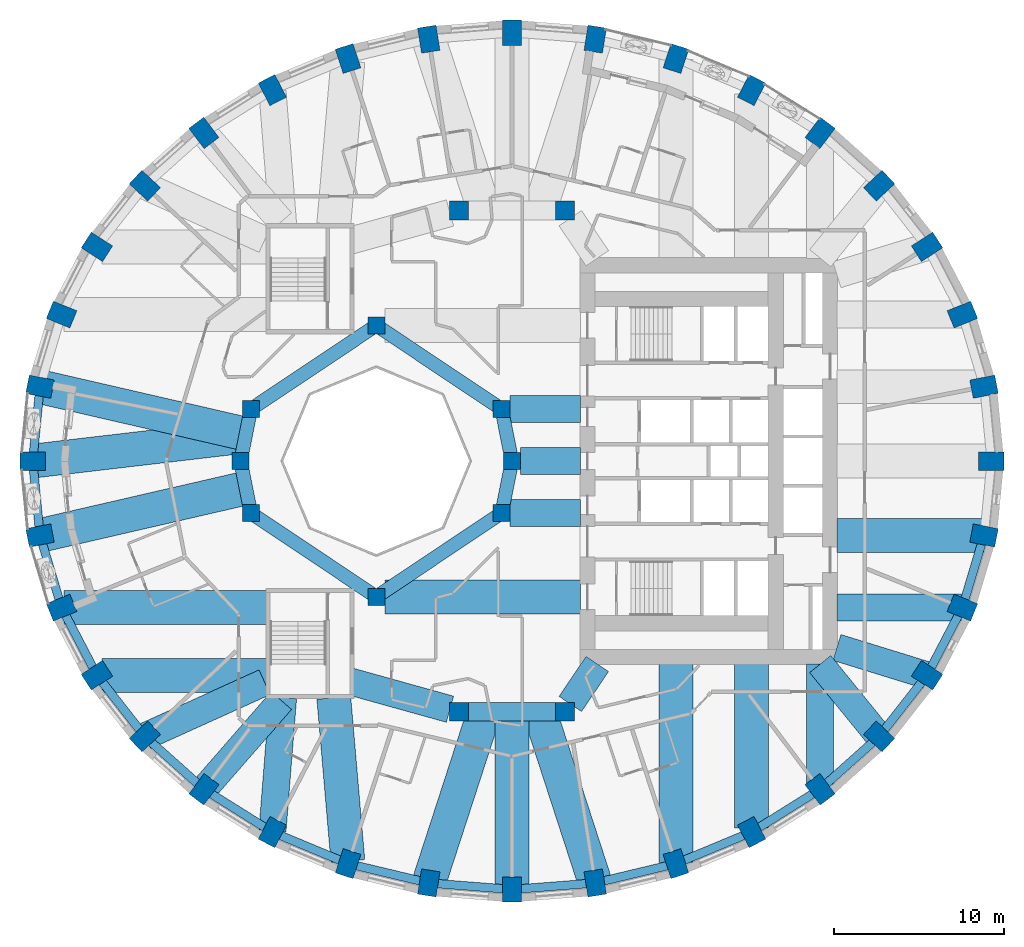
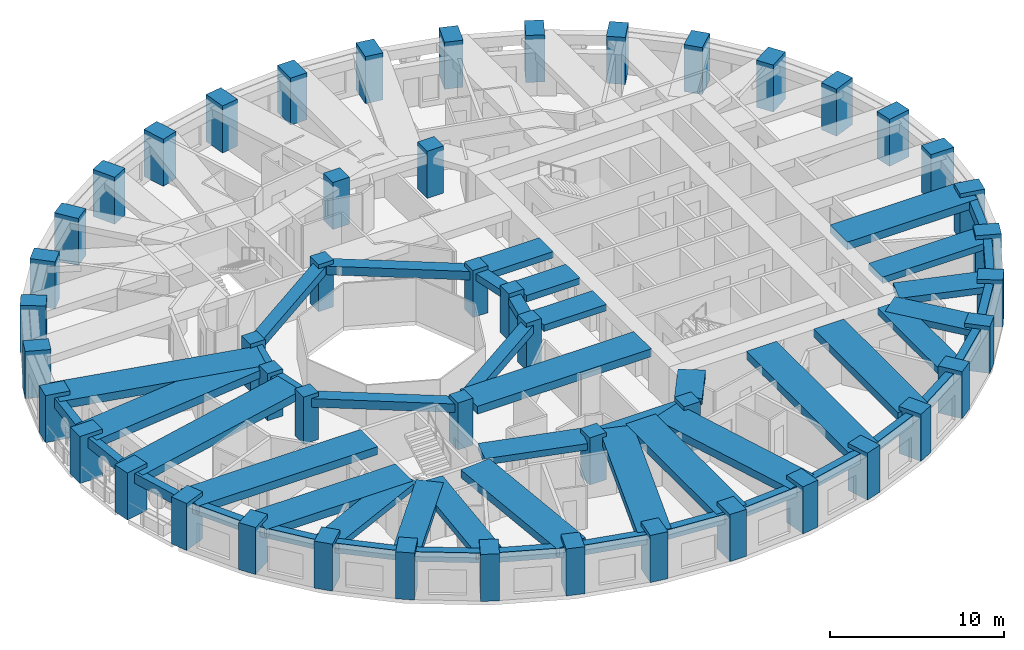
# One storey, part 1 of 14: 52 beams, 48 columns.
"""IFC4 building model written with IfcOpenShell, lengths in metres."""

from ifc_helpers import new_model, si_unit, direction, frame, origin, origin_2d, place, context, subcontext, project, spatial, rectangle, extrude, material, material_profile, profile_set, type_object, element, save


model = new_model("IFC4")

# Units and contexts
model_context = context("Model", 3, precision=1e-05, world=origin(), true_north=direction((0.0, 1.0)))
body_context = subcontext(model_context, "Body", "Model", "MODEL_VIEW")
ifc_project = project(units=[si_unit("LENGTHUNIT", "METRE"), si_unit("AREAUNIT", "SQUARE_METRE"), si_unit("VOLUMEUNIT", "CUBIC_METRE"), si_unit("PLANEANGLEUNIT", "RADIAN"), si_unit("MASSUNIT", "GRAM", prefix="KILO")], contexts=[model_context])

# Site, building, storey
site_placement = place(None, origin())
site = spatial("IfcSite", under=ifc_project, at=site_placement, CompositionType="ELEMENT")
building_placement = place(site_placement, origin())
building = spatial("IfcBuilding", under=site, at=building_placement, Name="Taillehof Tower", CompositionType="ELEMENT")
storey_placement = place(building_placement, frame((0.0, 0.0, 25.0)))
storey = spatial("IfcBuildingStorey", under=building, at=storey_placement, Name="L05", CompositionType="ELEMENT", Elevation=25.0)

# Columns
ifc_material_1 = material(Name="Concrete C50/60", Category="concrete")
ifc_material_profile_1 = material_profile(ifc_material_1, rectangle(XDim=1.0, YDim=1.0, at=origin_2d()), Name="RC 1000x1000")
ifc_profile_set_1 = profile_set([ifc_material_profile_1], Name="Concrete C50/60")
column_type_1 = type_object("IfcColumnType", Name="Atrium ring column C50/60 1000x1000", PredefinedType="COLUMN", material=ifc_profile_set_1)
for number, where, z_axis, x_axis, name in (
    (1, (0.0, 0.0, 0.0), (0.0, 0.0, 1.0), (1.0, 0.0, 0.0), "Column AC01"),
    (2, (-8.0, 8.0, 0.0), (0.0, 0.0, 1.0), (1.0, 0.0, 0.0), "Column AC05"),
    (3, (-15.39111328125, 3.0615234375, 0.0), (0.0, 0.0, 1.0), (1.0, 0.0, 0.0), "Column AC08"),
    (4, (-16.0, 0.0, 0.0), (0.0, 0.0, 1.0), (1.0, 0.0, 0.0), "Column AC09"),
    (5, (-15.39111328125, -3.0615234375, 0.0), (0.0, 0.0, 1.0), (1.0, 0.0, 0.0), "Column AC10"),
    (6, (-8.0, -8.0, 0.0), (0.0, 0.0, 1.0), (1.0, 0.0, 0.0), "Column AC13"),
):
    element("IfcColumn", number, at=place(storey_placement, frame(where, z_axis=z_axis, x_axis=x_axis)), inside=storey, type_object=column_type_1, Name=name, PredefinedType="COLUMN", context=body_context, shape_type="SweptSolid", body=[
        extrude(rectangle(XDim=1.0, YDim=1.0, at=origin_2d()), origin(), (0.0, 0.0, 1.0), 3.300048828125),
    ])
ifc_material_2 = material(Name="Concrete C60/75", Category="concrete")
ifc_material_profile_2 = material_profile(ifc_material_2, rectangle(XDim=1.0, YDim=1.0, at=origin_2d()), Name="RC 1000x1000")
ifc_profile_set_2 = profile_set([ifc_material_profile_2], Name="Concrete C60/75")
column_type_2 = type_object("IfcColumnType", Name="Atrium ring column C60/75 1000x1000", PredefinedType="COLUMN", material=ifc_profile_set_2)
for number, where, z_axis, x_axis, name in (
    (7, (-0.60888671875, 3.0615234375, 0.0), (0.0, 0.0, 1.0), (1.0, 0.0, 0.0), "Column AC02"),
    (8, (-0.60888671875, -3.0615234375, 0.0), (0.0, 0.0, 1.0), (1.0, 0.0, 0.0), "Column AC16"),
):
    element("IfcColumn", number, at=place(storey_placement, frame(where, z_axis=z_axis, x_axis=x_axis)), inside=storey, type_object=column_type_2, Name=name, PredefinedType="COLUMN", context=body_context, shape_type="SweptSolid", body=[
        extrude(rectangle(XDim=1.0, YDim=1.0, at=origin_2d()), origin(), (0.0, 0.0, 1.0), 3.300048828125),
    ])
ifc_material_3 = material(Name="Concrete C60/75", Category="concrete")
ifc_material_profile_3 = material_profile(ifc_material_3, rectangle(XDim=1.10009765625, YDim=1.10009765625, at=origin_2d()), Name="RC 1100x1100")
ifc_profile_set_3 = profile_set([ifc_material_profile_3], Name="Concrete C60/75")
column_type_3 = type_object("IfcColumnType", Name="Mid-ring column C60/75 1100x1100", PredefinedType="COLUMN", material=ifc_profile_set_3)
for number, where, z_axis, x_axis, name in (
    (9, (3.125732421875, 14.772216796875, 0.0), (0.0, 0.0, 1.0), (1.0, 0.0, 0.0), "Column MC05"),
    (10, (3.125732421875, -14.772216796875, 0.0), (0.0, 0.0, 1.0), (1.0, 0.0, 0.0), "Column MC15"),
):
    element("IfcColumn", number, at=place(storey_placement, frame(where, z_axis=z_axis, x_axis=x_axis)), inside=storey, type_object=column_type_3, Name=name, PredefinedType="COLUMN", context=body_context, shape_type="SweptSolid", body=[
        extrude(rectangle(XDim=1.10009765625, YDim=1.10009765625, at=origin_2d()), origin(), (0.0, 0.0, 1.0), 3.300048828125),
    ])
ifc_material_4 = material(Name="Concrete C80/95", Category="concrete")
ifc_material_profile_4 = material_profile(ifc_material_4, rectangle(XDim=1.10009765625, YDim=1.10009765625, at=origin_2d()), Name="RC 1100x1100")
ifc_profile_set_4 = profile_set([ifc_material_profile_4], Name="Concrete C80/95")
column_type_4 = type_object("IfcColumnType", Name="Mid-ring column C80/95 1100x1100", PredefinedType="COLUMN", material=ifc_profile_set_4)
for number, where, z_axis, x_axis, name in (
    (11, (-3.125732421875, 14.772216796875, 0.0), (0.0, 0.0, 1.0), (1.0, 0.0, 0.0), "Column MC06"),
    (12, (-3.125732421875, -14.772216796875, 0.0), (0.0, 0.0, 1.0), (1.0, 0.0, 0.0), "Column MC14"),
):
    element("IfcColumn", number, at=place(storey_placement, frame(where, z_axis=z_axis, x_axis=x_axis)), inside=storey, type_object=column_type_4, Name=name, PredefinedType="COLUMN", context=body_context, shape_type="SweptSolid", body=[
        extrude(rectangle(XDim=1.10009765625, YDim=1.10009765625, at=origin_2d()), origin(), (0.0, 0.0, 1.0), 3.300048828125),
    ])
ifc_material_5 = material(Name="Concrete C70/85", Category="concrete")
ifc_material_profile_5 = material_profile(ifc_material_5, rectangle(XDim=1.5, YDim=1.10009765625, at=origin_2d()), Name="RC 1500x1100")
ifc_profile_set_5 = profile_set([ifc_material_profile_5], Name="Concrete C70/85")
column_type_5 = type_object("IfcColumnType", Name="Ring column C70/85 1500x1100", PredefinedType="COLUMN", material=ifc_profile_set_5)
for number, where, z_axis, x_axis, name in (
    (13, (28.25, 0.0, 0.0), (0.0, 0.0, 1.0), (1.0, 0.0, 0.0), "Ring column RC01"),
    (14, (27.82080078125, 4.384521484375, 0.0), (0.0, 0.0, 1.0), (0.98120354895, 0.192975634545, 0.0), "Ring column RC02"),
    (15, (26.54638671875, 8.635986328125, 0.0), (0.0, 0.0, 1.0), (0.926558045297, 0.37615181602, 0.0), "Ring column RC03"),
    (16, (24.46533203125, 12.625, 0.0), (0.0, 0.0, 1.0), (0.840753565229, 0.541417992456, 0.0), "Ring column RC04"),
    (17, (21.640869140625, 16.23046875, 0.0), (0.0, 0.0, 1.0), (0.730113022917, 0.683326403535, 0.0), "Ring column RC05"),
    (18, (18.15869140625, 19.342529296875, 0.0), (0.0, 0.0, 1.0), (0.601173783055, 0.79911831575, 0.0), "Ring column RC06"),
    (19, (14.125, 21.8671875, 0.0), (0.0, 0.0, 1.0), (0.459691308511, 0.888078769524, 0.0), "Ring column RC07"),
    (20, (9.662109375, 23.727294921875, 0.0), (0.0, 0.0, 1.0), (0.310219183529, 0.950665060981, 0.0), "Ring column RC08"),
    (21, (4.905517578125, 24.866455078125, 0.0), (0.0, 0.0, 1.0), (0.15614709407, 0.987733812833, 0.0), "Ring column RC09"),
    (22, (0.0, 25.25, 0.0), (0.0, 0.0, 1.0), (0.0, 1.0, 0.0), "Ring column RC10"),
    (23, (-4.905517578125, 24.866455078125, 0.0), (0.0, 0.0, 1.0), (-0.15614709407, 0.987733812833, 0.0), "Ring column RC11"),
    (24, (-9.662109375, 23.727294921875, 0.0), (0.0, 0.0, 1.0), (-0.310219183529, 0.950665060981, 0.0), "Ring column RC12"),
    (25, (-14.125, 21.8671875, 0.0), (0.0, 0.0, 1.0), (-0.459691308511, 0.888078769524, 0.0), "Ring column RC13"),
    (26, (-18.15869140625, 19.342529296875, 0.0), (0.0, 0.0, 1.0), (-0.601173783055, 0.79911831575, 0.0), "Ring column RC14"),
    (27, (-21.640869140625, 16.23046875, 0.0), (0.0, 0.0, 1.0), (-0.730113022917, 0.683326403535, 0.0), "Ring column RC15"),
    (28, (-24.46533203125, 12.625, 0.0), (0.0, 0.0, 1.0), (-0.840753565229, 0.541417992456, 0.0), "Ring column RC16"),
    (29, (-26.54638671875, 8.635986328125, 0.0), (0.0, 0.0, 1.0), (-0.926558045297, 0.37615181602, 0.0), "Ring column RC17"),
    (30, (-27.82080078125, 4.384521484375, 0.0), (0.0, 0.0, 1.0), (-0.98120354895, 0.192975634545, 0.0), "Ring column RC18"),
    (31, (-28.25, 0.0, 0.0), (0.0, 0.0, 1.0), (-1.0, 0.0, 0.0), "Ring column RC19"),
    (32, (-27.82080078125, -4.384521484375, 0.0), (0.0, 0.0, 1.0), (-0.98120354895, -0.192975634545, 0.0), "Ring column RC20"),
    (33, (-26.54638671875, -8.635986328125, 0.0), (0.0, 0.0, 1.0), (-0.926558045297, -0.37615181602, 0.0), "Ring column RC21"),
    (34, (-24.46533203125, -12.625, 0.0), (0.0, 0.0, 1.0), (-0.840753565229, -0.541417992456, 0.0), "Ring column RC22"),
    (35, (-21.640869140625, -16.23046875, 0.0), (0.0, 0.0, 1.0), (-0.730113022917, -0.683326403535, 0.0), "Ring column RC23"),
    (36, (-18.15869140625, -19.342529296875, 0.0), (0.0, 0.0, 1.0), (-0.601173783055, -0.79911831575, 0.0), "Ring column RC24"),
    (37, (-14.125, -21.8671875, 0.0), (0.0, 0.0, 1.0), (-0.459691308511, -0.888078769524, 0.0), "Ring column RC25"),
    (38, (-9.662109375, -23.727294921875, 0.0), (0.0, 0.0, 1.0), (-0.310219183529, -0.950665060981, 0.0), "Ring column RC26"),
    (39, (-4.905517578125, -24.866455078125, 0.0), (0.0, 0.0, 1.0), (-0.15614709407, -0.987733812833, 0.0), "Ring column RC27"),
    (40, (0.0, -25.25, 0.0), (0.0, 0.0, 1.0), (0.0, -1.0, 0.0), "Ring column RC28"),
    (41, (4.905517578125, -24.866455078125, 0.0), (0.0, 0.0, 1.0), (0.15614709407, -0.987733812833, 0.0), "Ring column RC29"),
    (42, (9.662109375, -23.727294921875, 0.0), (0.0, 0.0, 1.0), (0.310219183529, -0.950665060981, 0.0), "Ring column RC30"),
    (43, (14.125, -21.8671875, 0.0), (0.0, 0.0, 1.0), (0.459691308511, -0.888078769524, 0.0), "Ring column RC31"),
    (44, (18.15869140625, -19.342529296875, 0.0), (0.0, 0.0, 1.0), (0.601173783055, -0.79911831575, 0.0), "Ring column RC32"),
    (45, (21.640869140625, -16.23046875, 0.0), (0.0, 0.0, 1.0), (0.730113022917, -0.683326403535, 0.0), "Ring column RC33"),
    (46, (24.46533203125, -12.625, 0.0), (0.0, 0.0, 1.0), (0.840753565229, -0.541417992456, 0.0), "Ring column RC34"),
    (47, (26.54638671875, -8.635986328125, 0.0), (0.0, 0.0, 1.0), (0.926558045297, -0.37615181602, 0.0), "Ring column RC35"),
    (48, (27.82080078125, -4.384521484375, 0.0), (0.0, 0.0, 1.0), (0.98120354895, -0.192975634545, 0.0), "Ring column RC36"),
):
    element("IfcColumn", number, at=place(storey_placement, frame(where, z_axis=z_axis, x_axis=x_axis)), inside=storey, type_object=column_type_5, Name=name, PredefinedType="COLUMN", context=body_context, shape_type="SweptSolid", body=[
        extrude(rectangle(XDim=1.5, YDim=1.10009765625, at=origin_2d()), origin(), (0.0, 0.0, 1.0), 3.300048828125),
    ])

# Beams
ifc_material_6 = material(Name="Concrete C50/60", Category="concrete")
ifc_material_profile_6 = material_profile(ifc_material_6, rectangle(XDim=0.800048828125, YDim=0.5, at=origin_2d()), Name="RC 800x500")
ifc_profile_set_6 = profile_set([ifc_material_profile_6], Name="Concrete C50/60")
beam_type_1 = type_object("IfcBeamType", Name="Atrium ring beam C50/60 800x500", PredefinedType="BEAM", material=ifc_profile_set_6)
for number, where, z_axis, x_axis, name in (
    (49, (0.0, 0.0, 2.77001953125), (-0.195063155143, 0.980790683839, 0.0), (-0.980790683839, -0.195063155143, 0.0), "Atrium ring beam AB01"),
    (50, (-15.39111328125, 3.0615234375, 2.77001953125), (-0.195063155143, -0.980790683839, 0.0), (0.980790683839, -0.195063155143, 0.0), "Atrium ring beam AB04"),
    (51, (-16.0, 0.0, 2.77001953125), (0.195063155143, -0.980790683839, 0.0), (0.980790683839, 0.195063155143, 0.0), "Atrium ring beam AB05"),
    (52, (-0.60888671875, -3.0615234375, 2.77001953125), (0.195063155143, 0.980790683839, 0.0), (-0.980790683839, 0.195063155143, 0.0), "Atrium ring beam AB08"),
):
    element("IfcBeam", number, at=place(storey_placement, frame(where, z_axis=z_axis, x_axis=x_axis)), inside=storey, type_object=beam_type_1, Name=name, PredefinedType="BEAM", context=body_context, shape_type="SweptSolid", body=[
        extrude(rectangle(XDim=0.800048828125, YDim=0.5, at=origin_2d()), origin(), (0.0, 0.0, 1.0), 3.12158203125),
    ])
ifc_material_7 = material(Name="Concrete C50/60", Category="concrete")
ifc_material_profile_7 = material_profile(ifc_material_7, rectangle(XDim=0.800048828125, YDim=0.60009765625, at=origin_2d()), Name="RC 800x600")
ifc_profile_set_7 = profile_set([ifc_material_profile_7], Name="Concrete C50/60")
beam_type_2 = type_object("IfcBeamType", Name="Atrium ring beam C50/60 800x600", PredefinedType="BEAM", material=ifc_profile_set_7)
for number, where, z_axis, x_axis, name in (
    (53, (-0.60888671875, 3.0615234375, 2.719970703125), (-0.831475195687, 0.555561876804, 0.0), (-0.555561876804, -0.831475195687, 0.0), "Atrium ring beam AB02"),
    (54, (-8.0, 8.0, 2.719970703125), (-0.831475195687, -0.555561876804, 0.0), (0.555561876804, -0.831475195687, 0.0), "Atrium ring beam AB03"),
    (55, (-15.39111328125, -3.0615234375, 2.719970703125), (0.831475195687, -0.555561876804, 0.0), (0.555561876804, 0.831475195687, 0.0), "Atrium ring beam AB06"),
    (56, (-8.0, -8.0, 2.719970703125), (0.831475195687, 0.555561876804, 0.0), (-0.555561876804, 0.831475195687, 0.0), "Atrium ring beam AB07"),
):
    element("IfcBeam", number, at=place(storey_placement, frame(where, z_axis=z_axis, x_axis=x_axis)), inside=storey, type_object=beam_type_2, Name=name, PredefinedType="BEAM", context=body_context, shape_type="SweptSolid", body=[
        extrude(rectangle(XDim=0.800048828125, YDim=0.60009765625, at=origin_2d()), origin(), (0.0, 0.0, 1.0), 8.88916015625),
    ])
ifc_material_8 = material(Name="Concrete C50/60", Category="concrete")
ifc_material_profile_8 = material_profile(ifc_material_8, rectangle(XDim=1.10009765625, YDim=0.60009765625, at=origin_2d()), Name="RC 1100x600")
ifc_profile_set_8 = profile_set([ifc_material_profile_8], Name="Concrete C50/60")
beam_type_3 = type_object("IfcBeamType", Name="Mid-ring beam C50/60 1100x600", PredefinedType="BEAM", material=ifc_profile_set_8)
beam_1_placement = place(storey_placement, frame((-3.125732421875, -14.772216796875, 2.719970703125), z_axis=(1.0, 0.0, 0.0), x_axis=(0.0, 1.0, 0.0)))
element("IfcBeam", 57, at=beam_1_placement, inside=storey, type_object=beam_type_3, Name="Mid-ring beam MB02", PredefinedType="BEAM", context=body_context, shape_type="SweptSolid", body=[
    extrude(rectangle(XDim=1.10009765625, YDim=0.60009765625, at=origin_2d()), origin(), (0.0, 0.0, 1.0), 6.25146484375),
])
ifc_material_9 = material(Name="Concrete C50/60", Category="concrete")
ifc_material_profile_9 = material_profile(ifc_material_9, rectangle(XDim=1.60009765625, YDim=0.449951171875, at=origin_2d()), Name="RC 1600x450")
ifc_profile_set_9 = profile_set([ifc_material_profile_9], Name="Concrete C50/60")
beam_type_4 = type_object("IfcBeamType", Name="Radial band beam C50/60 1600x450", PredefinedType="BEAM", material=ifc_profile_set_9)
beam_2_placement = place(storey_placement, frame((-21.632568359375, -16.226806640625, 2.794921875), z_axis=(0.911100590789, 0.412184077161, 0.0), x_axis=(-0.412184077161, 0.911100590789, 0.0)))
element("IfcBeam", 58, at=beam_2_placement, inside=storey, type_object=beam_type_4, Name="Radial band beam RB23", PredefinedType="BEAM", context=body_context, shape_type="SweptSolid", body=[
    extrude(rectangle(XDim=1.60009765625, YDim=0.449951171875, at=origin_2d()), origin(), (0.0, 0.0, 1.0), 7.740966796875),
])
beam_3_placement = place(storey_placement, frame((-18.15869140625, -19.342529296875, 2.794921875), z_axis=(0.65721824087, 0.753700327628, 0.0), x_axis=(-0.753700327628, 0.65721824087, 0.0)))
element("IfcBeam", 59, at=beam_3_placement, inside=storey, type_object=beam_type_4, Name="Radial band beam RB24", PredefinedType="BEAM", context=body_context, shape_type="SweptSolid", body=[
    extrude(rectangle(XDim=1.60009765625, YDim=0.449951171875, at=origin_2d()), origin(), (0.0, 0.0, 1.0), 6.9384765625),
])
beam_4_placement = place(storey_placement, frame((-14.119873046875, -21.802978515625, 2.794921875), z_axis=(0.079184740988, 0.996859958467, 0.0), x_axis=(-0.996859958467, 0.079184740988, 0.0)))
element("IfcBeam", 60, at=beam_4_placement, inside=storey, type_object=beam_type_4, Name="Radial band beam RB25", PredefinedType="BEAM", context=body_context, shape_type="SweptSolid", body=[
    extrude(rectangle(XDim=1.60009765625, YDim=0.449951171875, at=origin_2d()), origin(), (0.0, 0.0, 1.0), 7.87744140625),
])
beam_5_placement = place(storey_placement, frame((18.15869140625, -19.05517578125, 2.794921875), z_axis=(0.0, 1.0, 0.0), x_axis=(-1.0, 0.0, 0.0)))
element("IfcBeam", 61, at=beam_5_placement, inside=storey, type_object=beam_type_4, Name="Radial band beam RB32", PredefinedType="BEAM", context=body_context, shape_type="SweptSolid", body=[
    extrude(rectangle(XDim=1.60009765625, YDim=0.449951171875, at=origin_2d()), origin(), (0.0, 0.0, 1.0), 7.105224609375),
])
beam_6_placement = place(storey_placement, frame((21.640869140625, -16.23046875, 2.794921875), z_axis=(-0.630988373846, 0.775792286679, 0.0), x_axis=(-0.775792286679, -0.630988373846, 0.0)))
element("IfcBeam", 62, at=beam_6_placement, inside=storey, type_object=beam_type_4, Name="Radial band beam RB33", PredefinedType="BEAM", context=body_context, shape_type="SweptSolid", body=[
    extrude(rectangle(XDim=1.60009765625, YDim=0.449951171875, at=origin_2d()), origin(), (0.0, 0.0, 1.0), 5.503173828125),
])
beam_7_placement = place(storey_placement, frame((24.46533203125, -12.625, 2.794921875), z_axis=(-0.955535654338, 0.294875589511, 0.0), x_axis=(-0.294875589511, -0.955535654338, 0.0)))
element("IfcBeam", 63, at=beam_7_placement, inside=storey, type_object=beam_type_4, Name="Radial band beam RB34", PredefinedType="BEAM", context=body_context, shape_type="SweptSolid", body=[
    extrude(rectangle(XDim=1.60009765625, YDim=0.449951171875, at=origin_2d()), origin(), (0.0, 0.0, 1.0), 5.560546875),
])
beam_8_placement = place(storey_placement, frame((26.490478515625, -8.635986328125, 2.794921875), z_axis=(-1.0, 0.0, 0.0), x_axis=(0.0, -1.0, 0.0)))
element("IfcBeam", 64, at=beam_8_placement, inside=storey, type_object=beam_type_4, Name="Radial band beam RB35", PredefinedType="BEAM", context=body_context, shape_type="SweptSolid", body=[
    extrude(rectangle(XDim=1.60009765625, YDim=0.449951171875, at=origin_2d()), origin(), (0.0, 0.0, 1.0), 7.340576171875),
])
beam_9_placement = place(storey_placement, frame((0.5, 0.0, 2.794921875), z_axis=(1.0, 0.0, 0.0), x_axis=(0.0, 1.0, 0.0)))
element("IfcBeam", 65, at=beam_9_placement, inside=storey, type_object=beam_type_4, Name="Inner band beam IB101", PredefinedType="BEAM", context=body_context, shape_type="SweptSolid", body=[
    extrude(rectangle(XDim=1.60009765625, YDim=0.449951171875, at=origin_2d()), origin(), (0.0, 0.0, 1.0), 3.550048828125),
])
for number, where, z_axis, x_axis, name in (
    (66, (-0.10888671875, 3.0615234375, 2.794921875), (1.0, 0.0, 0.0), (0.0, 1.0, 0.0), "Inner band beam IB102"),
    (67, (-0.10888671875, -3.0615234375, 2.794921875), (1.0, 0.0, 0.0), (0.0, 1.0, 0.0), "Inner band beam IB116"),
):
    element("IfcBeam", number, at=place(storey_placement, frame(where, z_axis=z_axis, x_axis=x_axis)), inside=storey, type_object=beam_type_4, Name=name, PredefinedType="BEAM", context=body_context, shape_type="SweptSolid", body=[
        extrude(rectangle(XDim=1.60009765625, YDim=0.449951171875, at=origin_2d()), origin(), (0.0, 0.0, 1.0), 4.158935546875),
    ])
beam_10_placement = place(storey_placement, frame((-3.655517578125, -14.624755859375, 2.794921875), z_axis=(-0.963459369536, 0.267854518821, 0.0), x_axis=(-0.267854518821, -0.963459369536, 0.0)))
element("IfcBeam", 68, at=beam_10_placement, inside=storey, type_object=beam_type_4, Name="Inner band beam IB214", PredefinedType="BEAM", context=body_context, shape_type="SweptSolid", body=[
    extrude(rectangle(XDim=1.60009765625, YDim=0.449951171875, at=origin_2d()), origin(), (0.0, 0.0, 1.0), 6.096923828125),
])
beam_11_placement = place(storey_placement, frame((3.433837890625, -14.31640625, 2.794921875), z_axis=(0.560112043398, 0.828416862962, 0.0), x_axis=(-0.828416862962, 0.560112043398, 0.0)))
element("IfcBeam", 69, at=beam_11_placement, inside=storey, type_object=beam_type_4, Name="Inner band beam IB215", PredefinedType="BEAM", context=body_context, shape_type="SweptSolid", body=[
    extrude(rectangle(XDim=1.60009765625, YDim=0.449951171875, at=origin_2d()), origin(), (0.0, 0.0, 1.0), 2.84619140625),
])
ifc_material_10 = material(Name="Concrete C50/60", Category="concrete")
ifc_material_profile_10 = material_profile(ifc_material_10, rectangle(XDim=2.0, YDim=0.550048828125, at=origin_2d()), Name="RC 2000x550")
ifc_profile_set_10 = profile_set([ifc_material_profile_10], Name="Concrete C50/60")
beam_type_5 = type_object("IfcBeamType", Name="Radial band beam C50/60 2000x550", PredefinedType="BEAM", material=ifc_profile_set_10)
beam_12_placement = place(storey_placement, frame((-27.82080078125, 4.384521484375, 2.7451171875), z_axis=(0.974509005862, -0.2243483842, 0.0), x_axis=(0.2243483842, 0.974509005862, 0.0)))
element("IfcBeam", 70, at=beam_12_placement, inside=storey, type_object=beam_type_5, Name="Radial band beam RB18", PredefinedType="BEAM", context=body_context, shape_type="SweptSolid", body=[
    extrude(rectangle(XDim=2.0, YDim=0.550048828125, at=origin_2d()), origin(), (0.0, 0.0, 1.0), 12.45458984375),
])
beam_13_placement = place(storey_placement, frame((-28.25, 0.0, 2.7451171875), z_axis=(0.993191188018, 0.11649576835, 0.0), x_axis=(-0.11649576835, 0.993191188018, 0.0)))
element("IfcBeam", 71, at=beam_13_placement, inside=storey, type_object=beam_type_5, Name="Radial band beam RB19", PredefinedType="BEAM", context=body_context, shape_type="SweptSolid", body=[
    extrude(rectangle(XDim=2.0, YDim=0.550048828125, at=origin_2d()), origin(), (0.0, 0.0, 1.0), 12.628662109375),
])
beam_14_placement = place(storey_placement, frame((-27.82080078125, -4.384521484375, 2.7451171875), z_axis=(0.974509005862, 0.2243483842, 0.0), x_axis=(-0.2243483842, 0.974509005862, 0.0)))
element("IfcBeam", 72, at=beam_14_placement, inside=storey, type_object=beam_type_5, Name="Radial band beam RB20", PredefinedType="BEAM", context=body_context, shape_type="SweptSolid", body=[
    extrude(rectangle(XDim=2.0, YDim=0.550048828125, at=origin_2d()), origin(), (0.0, 0.0, 1.0), 12.45458984375),
])
beam_15_placement = place(storey_placement, frame((-26.408935546875, -8.635986328125, 2.7451171875), z_axis=(1.0, 0.0, 0.0), x_axis=(0.0, 1.0, 0.0)))
element("IfcBeam", 73, at=beam_15_placement, inside=storey, type_object=beam_type_5, Name="Radial band beam RB21", PredefinedType="BEAM", context=body_context, shape_type="SweptSolid", body=[
    extrude(rectangle(XDim=2.0, YDim=0.550048828125, at=origin_2d()), origin(), (0.0, 0.0, 1.0), 11.958984375),
])
beam_16_placement = place(storey_placement, frame((-24.172607421875, -12.625, 2.7451171875), z_axis=(1.0, 0.0, 0.0), x_axis=(0.0, 1.0, 0.0)))
element("IfcBeam", 74, at=beam_16_placement, inside=storey, type_object=beam_type_5, Name="Radial band beam RB22", PredefinedType="BEAM", context=body_context, shape_type="SweptSolid", body=[
    extrude(rectangle(XDim=2.0, YDim=0.550048828125, at=origin_2d()), origin(), (0.0, 0.0, 1.0), 9.72265625),
])
beam_17_placement = place(storey_placement, frame((-9.675048828125, -23.575927734375, 2.7451171875), z_axis=(-0.085841202752, 0.996308831593, 0.0), x_axis=(-0.996308831593, -0.085841202752, 0.0)))
element("IfcBeam", 75, at=beam_17_placement, inside=storey, type_object=beam_type_5, Name="Radial band beam RB26", PredefinedType="BEAM", context=body_context, shape_type="SweptSolid", body=[
    extrude(rectangle(XDim=2.0, YDim=0.550048828125, at=origin_2d()), origin(), (0.0, 0.0, 1.0), 9.661376953125),
])
beam_18_placement = place(storey_placement, frame((-4.905517578125, -24.866455078125, 2.7451171875), z_axis=(0.309014294595, 0.951057393503, 0.0), x_axis=(-0.951057393503, 0.309014294595, 0.0)))
element("IfcBeam", 76, at=beam_18_placement, inside=storey, type_object=beam_type_5, Name="Radial band beam RB27", PredefinedType="BEAM", context=body_context, shape_type="SweptSolid", body=[
    extrude(rectangle(XDim=2.0, YDim=0.550048828125, at=origin_2d()), origin(), (0.0, 0.0, 1.0), 10.61376953125),
])
beam_19_placement = place(storey_placement, frame((0.0, -25.25, 2.7451171875), z_axis=(0.0, 1.0, 0.0), x_axis=(-1.0, 0.0, 0.0)))
element("IfcBeam", 77, at=beam_19_placement, inside=storey, type_object=beam_type_5, Name="Radial band beam RB28", PredefinedType="BEAM", context=body_context, shape_type="SweptSolid", body=[
    extrude(rectangle(XDim=2.0, YDim=0.550048828125, at=origin_2d()), origin(), (0.0, 0.0, 1.0), 10.477783203125),
])
beam_20_placement = place(storey_placement, frame((4.905517578125, -24.866455078125, 2.7451171875), z_axis=(-0.309014294595, 0.951057393503, 0.0), x_axis=(-0.951057393503, -0.309014294595, 0.0)))
element("IfcBeam", 78, at=beam_20_placement, inside=storey, type_object=beam_type_5, Name="Radial band beam RB29", PredefinedType="BEAM", context=body_context, shape_type="SweptSolid", body=[
    extrude(rectangle(XDim=2.0, YDim=0.550048828125, at=origin_2d()), origin(), (0.0, 0.0, 1.0), 10.61376953125),
])
beam_21_placement = place(storey_placement, frame((9.662109375, -23.664794921875, 2.7451171875), z_axis=(0.0, 1.0, 0.0), x_axis=(-1.0, 0.0, 0.0)))
element("IfcBeam", 79, at=beam_21_placement, inside=storey, type_object=beam_type_5, Name="Radial band beam RB30", PredefinedType="BEAM", context=body_context, shape_type="SweptSolid", body=[
    extrude(rectangle(XDim=2.0, YDim=0.550048828125, at=origin_2d()), origin(), (0.0, 0.0, 1.0), 11.71484375),
])
beam_22_placement = place(storey_placement, frame((14.125, -21.63232421875, 2.7451171875), z_axis=(0.0, 1.0, 0.0), x_axis=(-1.0, 0.0, 0.0)))
element("IfcBeam", 80, at=beam_22_placement, inside=storey, type_object=beam_type_5, Name="Radial band beam RB31", PredefinedType="BEAM", context=body_context, shape_type="SweptSolid", body=[
    extrude(rectangle(XDim=2.0, YDim=0.550048828125, at=origin_2d()), origin(), (0.0, 0.0, 1.0), 9.682373046875),
])
beam_23_placement = place(storey_placement, frame((27.82080078125, -4.384521484375, 2.7451171875), z_axis=(-1.0, 0.0, 0.0), x_axis=(0.0, -1.0, 0.0)))
element("IfcBeam", 81, at=beam_23_placement, inside=storey, type_object=beam_type_5, Name="Radial band beam RB36", PredefinedType="BEAM", context=body_context, shape_type="SweptSolid", body=[
    extrude(rectangle(XDim=2.0, YDim=0.550048828125, at=origin_2d()), origin(), (0.0, 0.0, 1.0), 8.6708984375),
])
beam_24_placement = place(storey_placement, frame((-7.5, -8.0, 2.7451171875), z_axis=(1.0, 0.0, 0.0), x_axis=(0.0, 1.0, 0.0)))
element("IfcBeam", 82, at=beam_24_placement, inside=storey, type_object=beam_type_5, Name="Inner band beam IB113", PredefinedType="BEAM", context=body_context, shape_type="SweptSolid", body=[
    extrude(rectangle(XDim=2.0, YDim=0.550048828125, at=origin_2d()), origin(), (0.0, 0.0, 1.0), 11.550048828125),
])
ifc_material_11 = material(Name="Concrete C50/60", Category="concrete")
ifc_material_profile_11 = material_profile(ifc_material_11, rectangle(XDim=0.5, YDim=0.699951171875, at=origin_2d()), Name="RC 500x700")
ifc_profile_set_11 = profile_set([ifc_material_profile_11], Name="Concrete C50/60")
beam_type_6 = type_object("IfcBeamType", Name="Spandrel beam C50/60 500x700", PredefinedType="SPANDREL", material=ifc_profile_set_11)
for number, where, z_axis, x_axis, name in (
    (83, (-27.82080078125, 4.384521484375, 2.669921875), (-0.097423973567, -0.99524297002, 0.0), (0.99524297002, -0.097423973567, 0.0), "Spandrel beam SB18"),
    (84, (-28.25, 0.0, 2.669921875), (0.097423973567, -0.99524297002, 0.0), (0.99524297002, 0.097423973567, 0.0), "Spandrel beam SB19"),
):
    element("IfcBeam", number, at=place(storey_placement, frame(where, z_axis=z_axis, x_axis=x_axis)), inside=storey, type_object=beam_type_6, Name=name, PredefinedType="SPANDREL", context=body_context, shape_type="SweptSolid", body=[
        extrude(rectangle(XDim=0.5, YDim=0.699951171875, at=origin_2d()), origin(), (0.0, 0.0, 1.0), 4.405517578125),
    ])
beam_25_placement = place(storey_placement, frame((-27.82080078125, -4.384521484375, 2.669921875), z_axis=(0.287135925407, -0.957889847707, 0.0), x_axis=(0.957889847707, 0.287135925407, 0.0)))
element("IfcBeam", 85, at=beam_25_placement, inside=storey, type_object=beam_type_6, Name="Spandrel beam SB20", PredefinedType="SPANDREL", context=body_context, shape_type="SweptSolid", body=[
    extrude(rectangle(XDim=0.5, YDim=0.699951171875, at=origin_2d()), origin(), (0.0, 0.0, 1.0), 4.4384765625),
])
beam_26_placement = place(storey_placement, frame((-26.54638671875, -8.635986328125, 2.669921875), z_axis=(0.462536335232, -0.886600326297, 0.0), x_axis=(0.886600326297, 0.462536335232, 0.0)))
element("IfcBeam", 86, at=beam_26_placement, inside=storey, type_object=beam_type_6, Name="Spandrel beam SB21", PredefinedType="SPANDREL", context=body_context, shape_type="SweptSolid", body=[
    extrude(rectangle(XDim=0.5, YDim=0.699951171875, at=origin_2d()), origin(), (0.0, 0.0, 1.0), 4.499267578125),
])
beam_27_placement = place(storey_placement, frame((-24.46533203125, -12.625, 2.669921875), z_axis=(0.616686200373, -0.787209076593, 0.0), x_axis=(0.787209076593, 0.616686200373, 0.0)))
element("IfcBeam", 87, at=beam_27_placement, inside=storey, type_object=beam_type_6, Name="Spandrel beam SB22", PredefinedType="SPANDREL", context=body_context, shape_type="SweptSolid", body=[
    extrude(rectangle(XDim=0.5, YDim=0.699951171875, at=origin_2d()), origin(), (0.0, 0.0, 1.0), 4.580078125),
])
beam_28_placement = place(storey_placement, frame((-21.640869140625, -16.23046875, 2.669921875), z_axis=(0.745621283614, -0.666369943366, 0.0), x_axis=(0.666369943366, 0.745621283614, 0.0)))
element("IfcBeam", 88, at=beam_28_placement, inside=storey, type_object=beam_type_6, Name="Spandrel beam SB23", PredefinedType="SPANDREL", context=body_context, shape_type="SweptSolid", body=[
    extrude(rectangle(XDim=0.5, YDim=0.699951171875, at=origin_2d()), origin(), (0.0, 0.0, 1.0), 4.670166015625),
])
beam_29_placement = place(storey_placement, frame((-18.15869140625, -19.342529296875, 2.669921875), z_axis=(0.847658018883, -0.530543007703, 0.0), x_axis=(0.530543007703, 0.847658018883, 0.0)))
element("IfcBeam", 89, at=beam_29_placement, inside=storey, type_object=beam_type_6, Name="Spandrel beam SB24", PredefinedType="SPANDREL", context=body_context, shape_type="SweptSolid", body=[
    extrude(rectangle(XDim=0.5, YDim=0.699951171875, at=origin_2d()), origin(), (0.0, 0.0, 1.0), 4.758544921875),
])
beam_30_placement = place(storey_placement, frame((-14.125, -21.8671875, 2.669921875), z_axis=(0.923035088053, -0.384715773297, 0.0), x_axis=(0.384715773297, 0.923035088053, 0.0)))
element("IfcBeam", 90, at=beam_30_placement, inside=storey, type_object=beam_type_6, Name="Spandrel beam SB25", PredefinedType="SPANDREL", context=body_context, shape_type="SweptSolid", body=[
    extrude(rectangle(XDim=0.5, YDim=0.699951171875, at=origin_2d()), origin(), (0.0, 0.0, 1.0), 4.8349609375),
])
beam_31_placement = place(storey_placement, frame((-9.662109375, -23.727294921875, 2.669921875), z_axis=(0.9724995553, -0.232904733616, 0.0), x_axis=(0.232904733616, 0.9724995553, 0.0)))
element("IfcBeam", 91, at=beam_31_placement, inside=storey, type_object=beam_type_6, Name="Spandrel beam SB26", PredefinedType="SPANDREL", context=body_context, shape_type="SweptSolid", body=[
    extrude(rectangle(XDim=0.5, YDim=0.699951171875, at=origin_2d()), origin(), (0.0, 0.0, 1.0), 4.89111328125),
])
for number, where, z_axis, x_axis, name in (
    (92, (-4.905517578125, -24.866455078125, 2.669921875), (0.996957383661, -0.077948541767, 0.0), (0.077948541767, 0.996957383661, 0.0), "Spandrel beam SB27"),
    (93, (0.0, -25.25, 2.669921875), (0.996957383661, 0.077948541767, 0.0), (-0.077948541767, 0.996957383661, 0.0), "Spandrel beam SB28"),
):
    element("IfcBeam", number, at=place(storey_placement, frame(where, z_axis=z_axis, x_axis=x_axis)), inside=storey, type_object=beam_type_6, Name=name, PredefinedType="SPANDREL", context=body_context, shape_type="SweptSolid", body=[
        extrude(rectangle(XDim=0.5, YDim=0.699951171875, at=origin_2d()), origin(), (0.0, 0.0, 1.0), 4.92041015625),
    ])
beam_32_placement = place(storey_placement, frame((4.905517578125, -24.866455078125, 2.669921875), z_axis=(0.9724995553, 0.232904733616, 0.0), x_axis=(-0.232904733616, 0.9724995553, 0.0)))
element("IfcBeam", 94, at=beam_32_placement, inside=storey, type_object=beam_type_6, Name="Spandrel beam SB29", PredefinedType="SPANDREL", context=body_context, shape_type="SweptSolid", body=[
    extrude(rectangle(XDim=0.5, YDim=0.699951171875, at=origin_2d()), origin(), (0.0, 0.0, 1.0), 4.89111328125),
])
beam_33_placement = place(storey_placement, frame((9.662109375, -23.727294921875, 2.669921875), z_axis=(0.923035088053, 0.384715773297, 0.0), x_axis=(-0.384715773297, 0.923035088053, 0.0)))
element("IfcBeam", 95, at=beam_33_placement, inside=storey, type_object=beam_type_6, Name="Spandrel beam SB30", PredefinedType="SPANDREL", context=body_context, shape_type="SweptSolid", body=[
    extrude(rectangle(XDim=0.5, YDim=0.699951171875, at=origin_2d()), origin(), (0.0, 0.0, 1.0), 4.8349609375),
])
beam_34_placement = place(storey_placement, frame((14.125, -21.8671875, 2.669921875), z_axis=(0.847658018883, 0.530543007703, 0.0), x_axis=(-0.530543007703, 0.847658018883, 0.0)))
element("IfcBeam", 96, at=beam_34_placement, inside=storey, type_object=beam_type_6, Name="Spandrel beam SB31", PredefinedType="SPANDREL", context=body_context, shape_type="SweptSolid", body=[
    extrude(rectangle(XDim=0.5, YDim=0.699951171875, at=origin_2d()), origin(), (0.0, 0.0, 1.0), 4.758544921875),
])
beam_35_placement = place(storey_placement, frame((18.15869140625, -19.342529296875, 2.669921875), z_axis=(0.745621283614, 0.666369943366, 0.0), x_axis=(-0.666369943366, 0.745621283614, 0.0)))
element("IfcBeam", 97, at=beam_35_placement, inside=storey, type_object=beam_type_6, Name="Spandrel beam SB32", PredefinedType="SPANDREL", context=body_context, shape_type="SweptSolid", body=[
    extrude(rectangle(XDim=0.5, YDim=0.699951171875, at=origin_2d()), origin(), (0.0, 0.0, 1.0), 4.670166015625),
])
beam_36_placement = place(storey_placement, frame((21.640869140625, -16.23046875, 2.669921875), z_axis=(0.616686200373, 0.787209076593, 0.0), x_axis=(-0.787209076593, 0.616686200373, 0.0)))
element("IfcBeam", 98, at=beam_36_placement, inside=storey, type_object=beam_type_6, Name="Spandrel beam SB33", PredefinedType="SPANDREL", context=body_context, shape_type="SweptSolid", body=[
    extrude(rectangle(XDim=0.5, YDim=0.699951171875, at=origin_2d()), origin(), (0.0, 0.0, 1.0), 4.580078125),
])
beam_37_placement = place(storey_placement, frame((24.46533203125, -12.625, 2.669921875), z_axis=(0.462536335232, 0.886600326297, 0.0), x_axis=(-0.886600326297, 0.462536335232, 0.0)))
element("IfcBeam", 99, at=beam_37_placement, inside=storey, type_object=beam_type_6, Name="Spandrel beam SB34", PredefinedType="SPANDREL", context=body_context, shape_type="SweptSolid", body=[
    extrude(rectangle(XDim=0.5, YDim=0.699951171875, at=origin_2d()), origin(), (0.0, 0.0, 1.0), 4.499267578125),
])
beam_38_placement = place(storey_placement, frame((26.54638671875, -8.635986328125, 2.669921875), z_axis=(0.287135925407, 0.957889847707, 0.0), x_axis=(-0.957889847707, 0.287135925407, 0.0)))
element("IfcBeam", 100, at=beam_38_placement, inside=storey, type_object=beam_type_6, Name="Spandrel beam SB35", PredefinedType="SPANDREL", context=body_context, shape_type="SweptSolid", body=[
    extrude(rectangle(XDim=0.5, YDim=0.699951171875, at=origin_2d()), origin(), (0.0, 0.0, 1.0), 4.4384765625),
])

save(model, "model.ifc")
